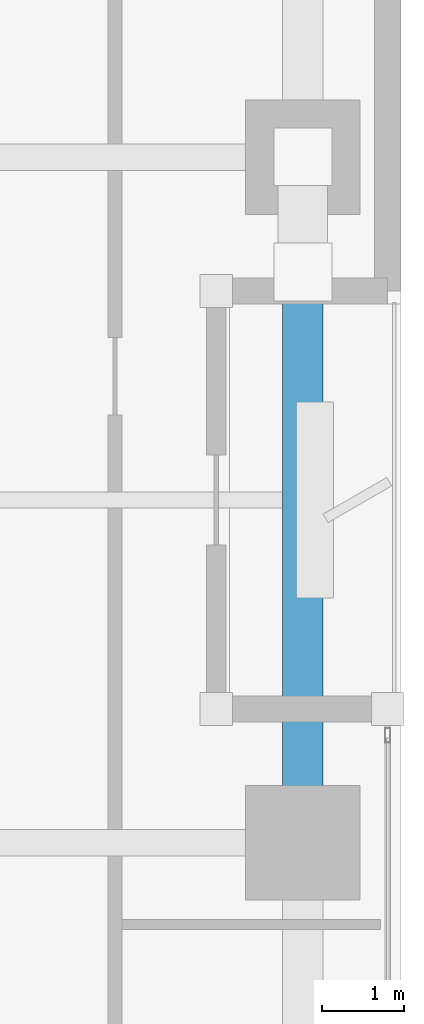
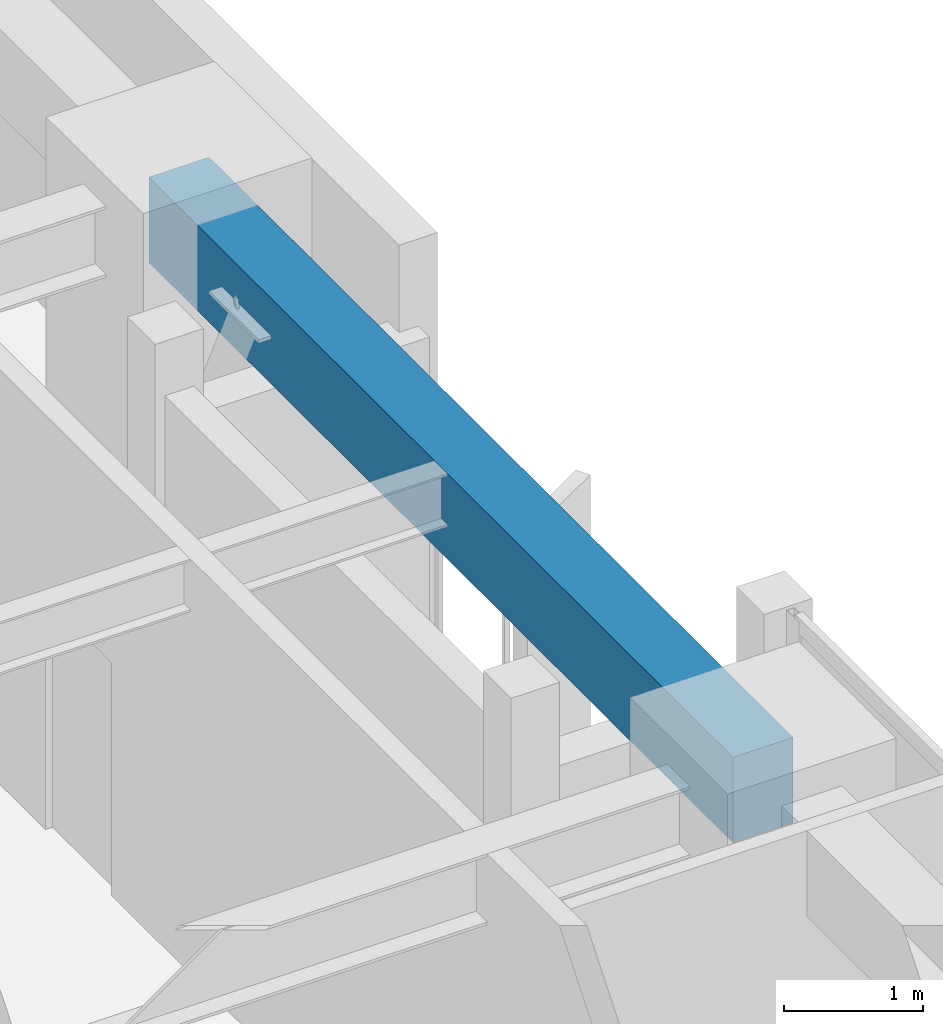
# One storey, part 7 of 24: 1 beam.
"""IFC4 building model written with IfcOpenShell, lengths in metres."""

from ifc_helpers import new_model, si_unit, direction, frame, origin, origin_2d, place, context, subcontext, project, spatial, rectangle, extrude, material, material_profile, profile_set, type_object, element, save


model = new_model("IFC4")

# Units and contexts
model_context = context("Model", 3, precision=1e-05, world=origin(), true_north=direction((0.0, 1.0)))
body_context = subcontext(model_context, "Body", "Model", "MODEL_VIEW")
ifc_project = project(units=[si_unit("LENGTHUNIT", "METRE"), si_unit("AREAUNIT", "SQUARE_METRE"), si_unit("VOLUMEUNIT", "CUBIC_METRE"), si_unit("PLANEANGLEUNIT", "RADIAN"), si_unit("MASSUNIT", "GRAM", prefix="KILO")], contexts=[model_context])

# Site, building, storey
site_placement = place(None, origin())
site = spatial("IfcSite", under=ifc_project, at=site_placement, CompositionType="ELEMENT")
building_placement = place(site_placement, origin())
building = spatial("IfcBuilding", under=site, at=building_placement, Name="Kiyonajd Concourse Tower", CompositionType="ELEMENT")
storey_placement = place(building_placement, frame((0.0, 0.0, 109.199951171875)))
storey = spatial("IfcBuildingStorey", under=building, at=storey_placement, Name="L28", CompositionType="ELEMENT", Elevation=109.199951171875)

# Beam
ifc_material = material(Name="Precast concrete C50/60", Category="concrete")
ifc_material_profile = material_profile(ifc_material, rectangle(XDim=0.5, YDim=0.75, at=origin_2d()), Name="RCBM-500x750")
ifc_profile_set = profile_set([ifc_material_profile], Name="Precast concrete C50/60")
beam_type = type_object("IfcBeamType", Name="BM-SPAN-RC", PredefinedType="SPANDREL", material=ifc_profile_set)
beam_placement = place(storey_placement, frame((69.60009765625, 36.0, 3.26513671875), z_axis=(0.0, 1.0, 0.0), x_axis=(-1.0, 0.0, 0.0)))
element("IfcBeam", 1, at=beam_placement, inside=storey, type_object=beam_type, Name="L28 Perimeter Bundled Tube Spandrel", PredefinedType="SPANDREL", context=body_context, shape_type="SweptSolid", body=[
    extrude(rectangle(XDim=0.5, YDim=0.75, at=origin_2d()), origin(), (0.0, 0.0, 1.0), 8.39990234375),
])

save(model, "model.ifc")
